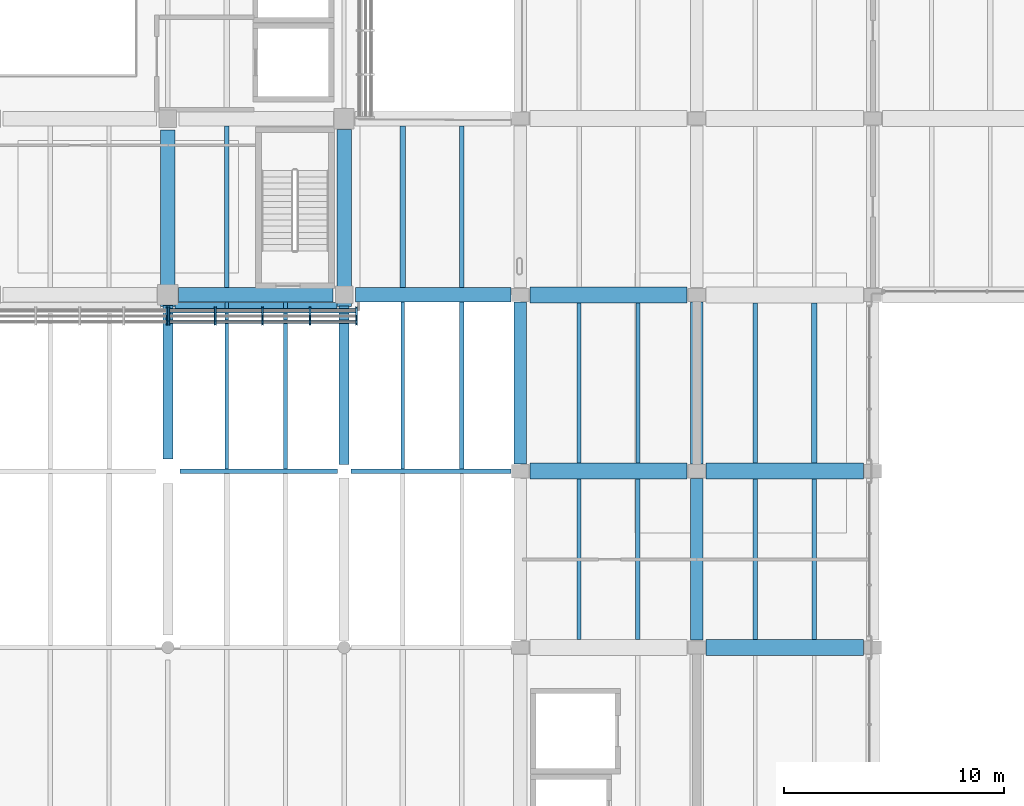
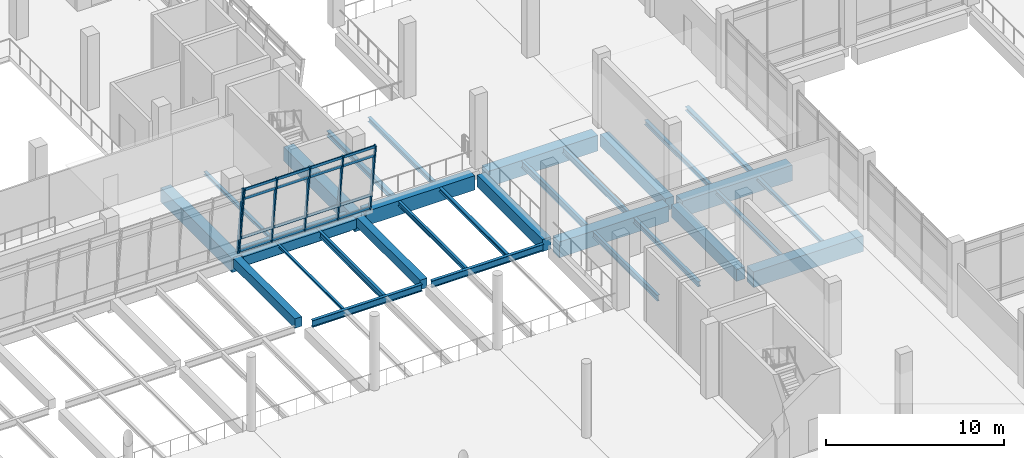
# One storey, part 15 of 61: 31 beams, 22 members, 2 elements without a shape of their own.
"""IFC4 building model written with IfcOpenShell, lengths in metres."""

from ifc_helpers import new_model, si_unit, direction, frame, origin, origin_2d, place, context, subcontext, project, spatial, rectangle, i_section, extrude, material, material_profile, profile_set, type_object, element, aggregate, save


model = new_model("IFC4")

# Units and contexts
model_context = context("Model", 3, precision=1e-05, world=origin(), true_north=direction((0.0, 1.0)))
body_context = subcontext(model_context, "Body", "Model", "MODEL_VIEW")
ifc_project = project(units=[si_unit("LENGTHUNIT", "METRE"), si_unit("AREAUNIT", "SQUARE_METRE"), si_unit("VOLUMEUNIT", "CUBIC_METRE"), si_unit("PLANEANGLEUNIT", "RADIAN"), si_unit("MASSUNIT", "GRAM", prefix="KILO")], contexts=[model_context])

# Site, building, storey
site_placement = place(None, origin())
site = spatial("IfcSite", under=ifc_project, at=site_placement, CompositionType="ELEMENT")
building_placement = place(site_placement, origin())
building = spatial("IfcBuilding", under=site, at=building_placement, Name="Pecanmere Concourse Central Library", CompositionType="ELEMENT")
storey_placement = place(building_placement, frame((0.0, 0.0, 5.39990234375)))
storey = spatial("IfcBuildingStorey", under=building, at=storey_placement, Name="L02", CompositionType="ELEMENT", Elevation=5.39990234375)

# Curtain wall, member
ifc_material_1 = material(Name="Anodized bronze aluminium alloy 6063-T6", Category="aluminium")
curtain_wall_type = type_object("IfcCurtainWallType", Name="CW_LEAN_BANDED", PredefinedType="USERDEFINED", material=ifc_material_1)
curtain_wall_1_placement = place(storey_placement, origin())
curtain_wall_1 = element("IfcCurtainWall", 1, at=curtain_wall_1_placement, inside=storey, type_object=curtain_wall_type, Name="Unitised Curtain Wall CW-01 L02-014", ObjectType="UNITISED CURTAIN WALL", PredefinedType="USERDEFINED")
ifc_material_2 = material(Name="Anodized bronze aluminium alloy 6063-T6", Category="aluminium")
ifc_material_profile_1 = material_profile(ifc_material_2, rectangle(XDim=0.074951171875, YDim=0.199951171875, at=origin_2d()), Name="AL 75x200")
ifc_profile_set_1 = profile_set([ifc_material_profile_1], Name="Anodized bronze aluminium alloy 6063-T6")
member_type_1 = type_object("IfcMemberType", Name="CWM_200x75", PredefinedType="MULLION", material=ifc_profile_set_1)
member_1_placement = place(storey_placement, frame((95.95751953125, 89.359619140625, 0.0), z_axis=(0.0, -0.132283601957, 0.991211909055), x_axis=(1.0, 0.0, 0.0)))
member_1 = element("IfcMember", 2, at=member_1_placement, type_object=member_type_1, Name="CW-01 Mullion 5", PredefinedType="MULLION", context=body_context, shape_type="SweptSolid", body=[
    extrude(rectangle(XDim=0.074951171875, YDim=0.199951171875, at=origin_2d()), origin(), (0.0, 0.0, 1.0), 4.80224609375),
])
aggregate(curtain_wall_1, [member_1])

# Curtain wall, members
curtain_wall_2_placement = place(storey_placement, origin())
curtain_wall_2 = element("IfcCurtainWall", 3, at=curtain_wall_2_placement, inside=storey, type_object=curtain_wall_type, Name="Unitised Curtain Wall CW-01 L02-015", ObjectType="UNITISED CURTAIN WALL", PredefinedType="USERDEFINED")
member_2_placement = place(storey_placement, frame((96.04248046875, 89.359619140625, 0.0), z_axis=(0.0, -0.132283601957, 0.991211909055), x_axis=(1.0, 0.0, 0.0)))
member_2 = element("IfcMember", 4, at=member_2_placement, type_object=member_type_1, Name="CW-01 Mullion 1", PredefinedType="MULLION", context=body_context, shape_type="SweptSolid", body=[
    extrude(rectangle(XDim=0.074951171875, YDim=0.199951171875, at=origin_2d()), origin(), (0.0, 0.0, 1.0), 4.80224609375),
])
member_3_placement = place(storey_placement, frame((98.15380859375, 89.359619140625, 0.0), z_axis=(0.0, -0.132283601957, 0.991211909055), x_axis=(1.0, 0.0, 0.0)))
member_3 = element("IfcMember", 5, at=member_3_placement, type_object=member_type_1, Name="CW-01 Mullion 2", PredefinedType="MULLION", context=body_context, shape_type="SweptSolid", body=[
    extrude(rectangle(XDim=0.074951171875, YDim=0.199951171875, at=origin_2d()), origin(), (0.0, 0.0, 1.0), 4.80224609375),
])
member_4_placement = place(storey_placement, frame((100.302734375, 89.359619140625, 0.0), z_axis=(0.0, -0.132283601957, 0.991211909055), x_axis=(1.0, 0.0, 0.0)))
member_4 = element("IfcMember", 6, at=member_4_placement, type_object=member_type_1, Name="CW-01 Mullion 3", PredefinedType="MULLION", context=body_context, shape_type="SweptSolid", body=[
    extrude(rectangle(XDim=0.074951171875, YDim=0.199951171875, at=origin_2d()), origin(), (0.0, 0.0, 1.0), 4.80224609375),
])
member_5_placement = place(storey_placement, frame((102.45166015625, 89.359619140625, 0.0), z_axis=(0.0, -0.132283601957, 0.991211909055), x_axis=(1.0, 0.0, 0.0)))
member_5 = element("IfcMember", 7, at=member_5_placement, type_object=member_type_1, Name="CW-01 Mullion 4", PredefinedType="MULLION", context=body_context, shape_type="SweptSolid", body=[
    extrude(rectangle(XDim=0.074951171875, YDim=0.199951171875, at=origin_2d()), origin(), (0.0, 0.0, 1.0), 4.80224609375),
])
member_6_placement = place(storey_placement, frame((104.56298828125, 89.359619140625, 0.0), z_axis=(0.0, -0.132283601957, 0.991211909055), x_axis=(1.0, 0.0, 0.0)))
member_6 = element("IfcMember", 8, at=member_6_placement, type_object=member_type_1, Name="CW-01 Mullion 5", PredefinedType="MULLION", context=body_context, shape_type="SweptSolid", body=[
    extrude(rectangle(XDim=0.074951171875, YDim=0.199951171875, at=origin_2d()), origin(), (0.0, 0.0, 1.0), 4.80224609375),
])
ifc_material_3 = material(Name="Anodized bronze aluminium alloy 6063-T6", Category="aluminium")
ifc_material_profile_2 = material_profile(ifc_material_3, rectangle(XDim=0.06494140625, YDim=0.179931640625, at=origin_2d()), Name="AL 65x180")
ifc_profile_set_2 = profile_set([ifc_material_profile_2], Name="Anodized bronze aluminium alloy 6063-T6")
member_type_2 = type_object("IfcMemberType", Name="CWT_180x65", PredefinedType="USERDEFINED", material=ifc_profile_set_2)
member_7_placement = place(storey_placement, frame((96.080078125, 89.347412109375, 0.090087890625), z_axis=(1.0, 0.0, 0.0), x_axis=(0.0, 1.0, 0.0)))
member_7 = element("IfcMember", 9, at=member_7_placement, type_object=member_type_2, Name="CW-01 Transom 1.1", ObjectType="TRANSOM", PredefinedType="USERDEFINED", context=body_context, shape_type="SweptSolid", body=[
    extrude(rectangle(XDim=0.06494140625, YDim=0.179931640625, at=origin_2d()), origin(), (0.0, 0.0, 1.0), 2.036376953125),
])
member_8_placement = place(storey_placement, frame((96.080078125, 89.219482421875, 1.050048828125), z_axis=(1.0, 0.0, 0.0), x_axis=(0.0, 1.0, 0.0)))
member_8 = element("IfcMember", 10, at=member_8_placement, type_object=member_type_2, Name="CW-01 Transom 1.2", ObjectType="TRANSOM", PredefinedType="USERDEFINED", context=body_context, shape_type="SweptSolid", body=[
    extrude(rectangle(XDim=0.06494140625, YDim=0.179931640625, at=origin_2d()), origin(), (0.0, 0.0, 1.0), 2.036376953125),
])
member_9_placement = place(storey_placement, frame((96.080078125, 88.824462890625, 4.010009765625), z_axis=(1.0, 0.0, 0.0), x_axis=(0.0, 1.0, 0.0)))
member_9 = element("IfcMember", 11, at=member_9_placement, type_object=member_type_2, Name="CW-01 Transom 1.3", ObjectType="TRANSOM", PredefinedType="USERDEFINED", context=body_context, shape_type="SweptSolid", body=[
    extrude(rectangle(XDim=0.06494140625, YDim=0.179931640625, at=origin_2d()), origin(), (0.0, 0.0, 1.0), 2.036376953125),
])
member_10_placement = place(storey_placement, frame((96.080078125, 88.736328125, 4.670166015625), z_axis=(1.0, 0.0, 0.0), x_axis=(0.0, 1.0, 0.0)))
member_10 = element("IfcMember", 12, at=member_10_placement, type_object=member_type_2, Name="CW-01 Transom 1.4", ObjectType="TRANSOM", PredefinedType="USERDEFINED", context=body_context, shape_type="SweptSolid", body=[
    extrude(rectangle(XDim=0.06494140625, YDim=0.179931640625, at=origin_2d()), origin(), (0.0, 0.0, 1.0), 2.036376953125),
])
member_11_placement = place(storey_placement, frame((98.19140625, 89.347412109375, 0.090087890625), z_axis=(1.0, 0.0, 0.0), x_axis=(0.0, 1.0, 0.0)))
member_11 = element("IfcMember", 13, at=member_11_placement, type_object=member_type_2, Name="CW-01 Transom 2.1", ObjectType="TRANSOM", PredefinedType="USERDEFINED", context=body_context, shape_type="SweptSolid", body=[
    extrude(rectangle(XDim=0.06494140625, YDim=0.179931640625, at=origin_2d()), origin(), (0.0, 0.0, 1.0), 2.07373046875),
])
member_12_placement = place(storey_placement, frame((98.19140625, 89.219482421875, 1.050048828125), z_axis=(1.0, 0.0, 0.0), x_axis=(0.0, 1.0, 0.0)))
member_12 = element("IfcMember", 14, at=member_12_placement, type_object=member_type_2, Name="CW-01 Transom 2.2", ObjectType="TRANSOM", PredefinedType="USERDEFINED", context=body_context, shape_type="SweptSolid", body=[
    extrude(rectangle(XDim=0.06494140625, YDim=0.179931640625, at=origin_2d()), origin(), (0.0, 0.0, 1.0), 2.07373046875),
])
member_13_placement = place(storey_placement, frame((98.19140625, 88.824462890625, 4.010009765625), z_axis=(1.0, 0.0, 0.0), x_axis=(0.0, 1.0, 0.0)))
member_13 = element("IfcMember", 15, at=member_13_placement, type_object=member_type_2, Name="CW-01 Transom 2.3", ObjectType="TRANSOM", PredefinedType="USERDEFINED", context=body_context, shape_type="SweptSolid", body=[
    extrude(rectangle(XDim=0.06494140625, YDim=0.179931640625, at=origin_2d()), origin(), (0.0, 0.0, 1.0), 2.07373046875),
])
member_14_placement = place(storey_placement, frame((98.19140625, 88.736328125, 4.670166015625), z_axis=(1.0, 0.0, 0.0), x_axis=(0.0, 1.0, 0.0)))
member_14 = element("IfcMember", 16, at=member_14_placement, type_object=member_type_2, Name="CW-01 Transom 2.4", ObjectType="TRANSOM", PredefinedType="USERDEFINED", context=body_context, shape_type="SweptSolid", body=[
    extrude(rectangle(XDim=0.06494140625, YDim=0.179931640625, at=origin_2d()), origin(), (0.0, 0.0, 1.0), 2.07373046875),
])
member_15_placement = place(storey_placement, frame((100.34033203125, 89.347412109375, 0.090087890625), z_axis=(1.0, 0.0, 0.0), x_axis=(0.0, 1.0, 0.0)))
member_15 = element("IfcMember", 17, at=member_15_placement, type_object=member_type_2, Name="CW-01 Transom 3.1", ObjectType="TRANSOM", PredefinedType="USERDEFINED", context=body_context, shape_type="SweptSolid", body=[
    extrude(rectangle(XDim=0.06494140625, YDim=0.179931640625, at=origin_2d()), origin(), (0.0, 0.0, 1.0), 2.07373046875),
])
member_16_placement = place(storey_placement, frame((100.34033203125, 89.219482421875, 1.050048828125), z_axis=(1.0, 0.0, 0.0), x_axis=(0.0, 1.0, 0.0)))
member_16 = element("IfcMember", 18, at=member_16_placement, type_object=member_type_2, Name="CW-01 Transom 3.2", ObjectType="TRANSOM", PredefinedType="USERDEFINED", context=body_context, shape_type="SweptSolid", body=[
    extrude(rectangle(XDim=0.06494140625, YDim=0.179931640625, at=origin_2d()), origin(), (0.0, 0.0, 1.0), 2.07373046875),
])
member_17_placement = place(storey_placement, frame((100.34033203125, 88.824462890625, 4.010009765625), z_axis=(1.0, 0.0, 0.0), x_axis=(0.0, 1.0, 0.0)))
member_17 = element("IfcMember", 19, at=member_17_placement, type_object=member_type_2, Name="CW-01 Transom 3.3", ObjectType="TRANSOM", PredefinedType="USERDEFINED", context=body_context, shape_type="SweptSolid", body=[
    extrude(rectangle(XDim=0.06494140625, YDim=0.179931640625, at=origin_2d()), origin(), (0.0, 0.0, 1.0), 2.07373046875),
])
member_18_placement = place(storey_placement, frame((100.34033203125, 88.736328125, 4.670166015625), z_axis=(1.0, 0.0, 0.0), x_axis=(0.0, 1.0, 0.0)))
member_18 = element("IfcMember", 20, at=member_18_placement, type_object=member_type_2, Name="CW-01 Transom 3.4", ObjectType="TRANSOM", PredefinedType="USERDEFINED", context=body_context, shape_type="SweptSolid", body=[
    extrude(rectangle(XDim=0.06494140625, YDim=0.179931640625, at=origin_2d()), origin(), (0.0, 0.0, 1.0), 2.07373046875),
])
member_19_placement = place(storey_placement, frame((102.489013671875, 89.347412109375, 0.090087890625), z_axis=(1.0, 0.0, 0.0), x_axis=(0.0, 1.0, 0.0)))
member_19 = element("IfcMember", 21, at=member_19_placement, type_object=member_type_2, Name="CW-01 Transom 4.1", ObjectType="TRANSOM", PredefinedType="USERDEFINED", context=body_context, shape_type="SweptSolid", body=[
    extrude(rectangle(XDim=0.06494140625, YDim=0.179931640625, at=origin_2d()), origin(), (0.0, 0.0, 1.0), 2.036376953125),
])
member_20_placement = place(storey_placement, frame((102.489013671875, 89.219482421875, 1.050048828125), z_axis=(1.0, 0.0, 0.0), x_axis=(0.0, 1.0, 0.0)))
member_20 = element("IfcMember", 22, at=member_20_placement, type_object=member_type_2, Name="CW-01 Transom 4.2", ObjectType="TRANSOM", PredefinedType="USERDEFINED", context=body_context, shape_type="SweptSolid", body=[
    extrude(rectangle(XDim=0.06494140625, YDim=0.179931640625, at=origin_2d()), origin(), (0.0, 0.0, 1.0), 2.036376953125),
])
member_21_placement = place(storey_placement, frame((102.489013671875, 88.824462890625, 4.010009765625), z_axis=(1.0, 0.0, 0.0), x_axis=(0.0, 1.0, 0.0)))
member_21 = element("IfcMember", 23, at=member_21_placement, type_object=member_type_2, Name="CW-01 Transom 4.3", ObjectType="TRANSOM", PredefinedType="USERDEFINED", context=body_context, shape_type="SweptSolid", body=[
    extrude(rectangle(XDim=0.06494140625, YDim=0.179931640625, at=origin_2d()), origin(), (0.0, 0.0, 1.0), 2.036376953125),
])
member_22_placement = place(storey_placement, frame((102.489013671875, 88.736328125, 4.670166015625), z_axis=(1.0, 0.0, 0.0), x_axis=(0.0, 1.0, 0.0)))
member_22 = element("IfcMember", 24, at=member_22_placement, type_object=member_type_2, Name="CW-01 Transom 4.4", ObjectType="TRANSOM", PredefinedType="USERDEFINED", context=body_context, shape_type="SweptSolid", body=[
    extrude(rectangle(XDim=0.06494140625, YDim=0.179931640625, at=origin_2d()), origin(), (0.0, 0.0, 1.0), 2.036376953125),
])
aggregate(curtain_wall_2, [member_2, member_3, member_4, member_5, member_6, member_7, member_8, member_9, member_10, member_11, member_12, member_13, member_14, member_15, member_16, member_17, member_18, member_19, member_20, member_21, member_22])

# Beams
ifc_material_4 = material(Name="Concrete C40/50", Category="concrete")
ifc_material_profile_3 = material_profile(ifc_material_4, rectangle(XDim=0.4599609375, YDim=0.64990234375, at=origin_2d()), Name="RC 460x650")
ifc_profile_set_3 = profile_set([ifc_material_profile_3], Name="Concrete C40/50")
beam_type_1 = type_object("IfcBeamType", Name="GRD_460x650", PredefinedType="USERDEFINED", material=ifc_profile_set_3)
beam_1_placement = place(storey_placement, frame((96.0, 82.56005859375, -0.69482421875), z_axis=(0.0, 1.0, 0.0), x_axis=(-1.0, 0.0, 0.0)))
element("IfcBeam", 25, at=beam_1_placement, inside=storey, type_object=beam_type_1, Name="Primary Girder Y L02-1069", ObjectType="GIRDER", PredefinedType="USERDEFINED", context=body_context, shape_type="SweptSolid", body=[
    extrude(rectangle(XDim=0.4599609375, YDim=0.64990234375, at=origin_2d()), origin(), (0.0, 0.0, 1.0), 6.949951171875),
])
beam_2_placement = place(storey_placement, frame((104.0, 82.31005859375, -0.69482421875), z_axis=(0.0, 1.0, 0.0), x_axis=(-1.0, 0.0, 0.0)))
element("IfcBeam", 26, at=beam_2_placement, inside=storey, type_object=beam_type_1, Name="Primary Girder Y L02-1081", ObjectType="GIRDER", PredefinedType="USERDEFINED", context=body_context, shape_type="SweptSolid", body=[
    extrude(rectangle(XDim=0.4599609375, YDim=0.64990234375, at=origin_2d()), origin(), (0.0, 0.0, 1.0), 7.179931640625),
])
ifc_material_5 = material(Name="Concrete C40/50", Category="concrete")
ifc_material_profile_4 = material_profile(ifc_material_5, rectangle(XDim=0.56005859375, YDim=0.830078125, at=origin_2d()), Name="RC 560x830")
ifc_profile_set_4 = profile_set([ifc_material_profile_4], Name="Concrete C40/50")
beam_type_2 = type_object("IfcBeamType", Name="GRD_560x830", PredefinedType="USERDEFINED", material=ifc_profile_set_4)
for number, where, z_axis, x_axis, name in (
    (27, (112.0, 82.330078125, -0.784912109375), (0.0, 1.0, 0.0), (-1.0, 0.0, 0.0), "Primary Girder Y L02-1093"),
    (28, (120.0, 74.330078125, -0.784912109375), (0.0, 1.0, 0.0), (-1.0, 0.0, 0.0), "Primary Girder Y L02-1102"),
    (29, (120.0, 82.330078125, -0.784912109375), (0.0, 1.0, 0.0), (-1.0, 0.0, 0.0), "Primary Girder Y L02-1103"),
):
    element("IfcBeam", number, at=place(storey_placement, frame(where, z_axis=z_axis, x_axis=x_axis)), inside=storey, type_object=beam_type_2, Name=name, ObjectType="GIRDER", PredefinedType="USERDEFINED", context=body_context, shape_type="SweptSolid", body=[
        extrude(rectangle(XDim=0.56005859375, YDim=0.830078125, at=origin_2d()), origin(), (0.0, 0.0, 1.0), 7.33984375),
    ])
ifc_material_6 = material(Name="Concrete C40/50", Category="concrete")
ifc_material_profile_5 = material_profile(ifc_material_6, rectangle(XDim=0.659912109375, YDim=0.97998046875, at=origin_2d()), Name="RC 660x980")
ifc_profile_set_5 = profile_set([ifc_material_profile_5], Name="Concrete C40/50")
beam_type_3 = type_object("IfcBeamType", Name="GRD_660x980", PredefinedType="USERDEFINED", material=ifc_profile_set_5)
beam_3_placement = place(storey_placement, frame((96.489990234375, 90.0, -0.85986328125), z_axis=(1.0, 0.0, 0.0), x_axis=(0.0, 1.0, 0.0)))
element("IfcBeam", 30, at=beam_3_placement, inside=storey, type_object=beam_type_3, Name="Primary Girder X L02-0918", ObjectType="GIRDER", PredefinedType="USERDEFINED", context=body_context, shape_type="SweptSolid", body=[
    extrude(rectangle(XDim=0.659912109375, YDim=0.97998046875, at=origin_2d()), origin(), (0.0, 0.0, 1.0), 7.0),
])
beam_4_placement = place(storey_placement, frame((104.510009765625, 90.0, -0.85986328125), z_axis=(1.0, 0.0, 0.0), x_axis=(0.0, 1.0, 0.0)))
element("IfcBeam", 31, at=beam_4_placement, inside=storey, type_object=beam_type_3, Name="Primary Girder X L02-0919", ObjectType="GIRDER", PredefinedType="USERDEFINED", context=body_context, shape_type="SweptSolid", body=[
    extrude(rectangle(XDim=0.659912109375, YDim=0.97998046875, at=origin_2d()), origin(), (0.0, 0.0, 1.0), 7.06005859375),
])
beam_5_placement = place(storey_placement, frame((96.0, 89.469482421875, -0.85986328125), z_axis=(0.0, 1.0, 0.0), x_axis=(-1.0, 0.0, 0.0)))
element("IfcBeam", 32, at=beam_5_placement, inside=storey, type_object=beam_type_3, Name="Primary Girder Y L02-1070", ObjectType="GIRDER", PredefinedType="USERDEFINED", context=body_context, shape_type="SweptSolid", body=[
    extrude(rectangle(XDim=0.659912109375, YDim=0.97998046875, at=origin_2d()), origin(), (0.0, 0.0, 1.0), 8.0205078125),
])
beam_6_placement = place(storey_placement, frame((104.0, 89.469482421875, -0.85986328125), z_axis=(0.0, 1.0, 0.0), x_axis=(-1.0, 0.0, 0.0)))
element("IfcBeam", 33, at=beam_6_placement, inside=storey, type_object=beam_type_3, Name="Primary Girder Y L02-1082", ObjectType="GIRDER", PredefinedType="USERDEFINED", context=body_context, shape_type="SweptSolid", body=[
    extrude(rectangle(XDim=0.659912109375, YDim=0.97998046875, at=origin_2d()), origin(), (0.0, 0.0, 1.0), 8.04052734375),
])
ifc_material_7 = material(Name="Concrete C40/50", Category="concrete")
ifc_material_profile_6 = material_profile(ifc_material_7, rectangle(XDim=0.719970703125, YDim=1.080078125, at=origin_2d()), Name="RC 720x1080")
ifc_profile_set_6 = profile_set([ifc_material_profile_6], Name="Concrete C40/50")
beam_type_4 = type_object("IfcBeamType", Name="GRD_720x1080", PredefinedType="USERDEFINED", material=ifc_profile_set_6)
for number, where, z_axis, x_axis, name in (
    (34, (120.429931640625, 74.0, -0.909912109375), (1.0, 0.0, 0.0), (0.0, 1.0, 0.0), "Primary Girder X L02-0895"),
    (35, (112.429931640625, 82.0, -0.909912109375), (1.0, 0.0, 0.0), (0.0, 1.0, 0.0), "Primary Girder X L02-0906"),
    (36, (120.429931640625, 82.0, -0.909912109375), (1.0, 0.0, 0.0), (0.0, 1.0, 0.0), "Primary Girder X L02-0907"),
    (37, (112.429931640625, 90.0, -0.909912109375), (1.0, 0.0, 0.0), (0.0, 1.0, 0.0), "Primary Girder X L02-0920"),
):
    element("IfcBeam", number, at=place(storey_placement, frame(where, z_axis=z_axis, x_axis=x_axis)), inside=storey, type_object=beam_type_4, Name=name, ObjectType="GIRDER", PredefinedType="USERDEFINED", context=body_context, shape_type="SweptSolid", body=[
        extrude(rectangle(XDim=0.719970703125, YDim=1.080078125, at=origin_2d()), origin(), (0.0, 0.0, 1.0), 7.14013671875),
    ])
ifc_material_8 = material(Name="Structural steel ASTM A992 Grade 50", Category="steel")
ifc_material_profile_7 = material_profile(ifc_material_8, i_section(OverallWidth=0.152099609375, OverallDepth=0.152099609375, WebThickness=0.005859375, FlangeThickness=0.006591796875, at=origin_2d()), Name="W150x22.5")
ifc_profile_set_7 = profile_set([ifc_material_profile_7], Name="Structural steel ASTM A992 Grade 50")
beam_type_5 = type_object("IfcBeamType", Name="SBM_W150x22", PredefinedType="LINTEL", material=ifc_profile_set_7)
beam_7_placement = place(storey_placement, frame((98.666748046875, 82.096923828125, -0.44580078125), z_axis=(0.0, 1.0, 0.0), x_axis=(-1.0, 0.0, 0.0)))
element("IfcBeam", 38, at=beam_7_placement, inside=storey, type_object=beam_type_5, Name="Secondary Floor Joist L02-1339", PredefinedType="LINTEL", context=body_context, shape_type="SweptSolid", body=[
    extrude(i_section(OverallWidth=0.152099609375, OverallDepth=0.152099609375, WebThickness=0.005859375, FlangeThickness=0.006591796875, at=origin_2d()), origin(), (0.0, 0.0, 1.0), 7.572998046875),
])
ifc_material_9 = material(Name="Structural steel ASTM A992 Grade 50", Category="steel")
ifc_material_profile_8 = material_profile(ifc_material_9, i_section(OverallWidth=0.2041015625, OverallDepth=0.2060546875, WebThickness=0.0078125, FlangeThickness=0.0126953125, at=origin_2d()), Name="W200x52")
ifc_profile_set_8 = profile_set([ifc_material_profile_8], Name="Structural steel ASTM A992 Grade 50")
beam_type_6 = type_object("IfcBeamType", Name="SBM_W200x52", PredefinedType="JOIST", material=ifc_profile_set_8)
beam_8_placement = place(storey_placement, frame((98.666748046875, 90.330078125, -0.472900390625), z_axis=(0.0, 1.0, 0.0), x_axis=(-1.0, 0.0, 0.0)))
element("IfcBeam", 39, at=beam_8_placement, inside=storey, type_object=beam_type_6, Name="Secondary Floor Joist L02-1341", PredefinedType="JOIST", context=body_context, shape_type="SweptSolid", body=[
    extrude(i_section(OverallWidth=0.2041015625, OverallDepth=0.2060546875, WebThickness=0.0078125, FlangeThickness=0.0126953125, at=origin_2d()), origin(), (0.0, 0.0, 1.0), 7.33984375),
])
beam_9_placement = place(storey_placement, frame((125.333251953125, 74.360107421875, -0.472900390625), z_axis=(0.0, 1.0, 0.0), x_axis=(-1.0, 0.0, 0.0)))
element("IfcBeam", 40, at=beam_9_placement, inside=storey, type_object=beam_type_6, Name="Secondary Floor Joist L02-1388", PredefinedType="JOIST", context=body_context, shape_type="SweptSolid", body=[
    extrude(i_section(OverallWidth=0.2041015625, OverallDepth=0.2060546875, WebThickness=0.0078125, FlangeThickness=0.0126953125, at=origin_2d()), origin(), (0.0, 0.0, 1.0), 7.27978515625),
])
ifc_material_10 = material(Name="Structural steel ASTM A992 Grade 50", Category="steel")
ifc_material_profile_9 = material_profile(ifc_material_10, i_section(OverallWidth=0.201904296875, OverallDepth=0.2470703125, WebThickness=0.00732421875, FlangeThickness=0.010986328125, at=origin_2d()), Name="W250x49.1")
ifc_profile_set_9 = profile_set([ifc_material_profile_9], Name="Structural steel ASTM A992 Grade 50")
beam_type_7 = type_object("IfcBeamType", Name="SBM_W250x49", PredefinedType="JOIST", material=ifc_profile_set_9)
beam_10_placement = place(storey_placement, frame((109.333251953125, 82.096923828125, -0.493408203125), z_axis=(0.0, 1.0, 0.0), x_axis=(-1.0, 0.0, 0.0)))
element("IfcBeam", 41, at=beam_10_placement, inside=storey, type_object=beam_type_7, Name="Secondary Floor Joist L02-1360", PredefinedType="JOIST", context=body_context, shape_type="SweptSolid", body=[
    extrude(i_section(OverallWidth=0.201904296875, OverallDepth=0.2470703125, WebThickness=0.00732421875, FlangeThickness=0.010986328125, at=origin_2d()), origin(), (0.0, 0.0, 1.0), 7.572998046875),
])
beam_11_placement = place(storey_placement, frame((122.666748046875, 74.360107421875, -0.493408203125), z_axis=(0.0, 1.0, 0.0), x_axis=(-1.0, 0.0, 0.0)))
element("IfcBeam", 42, at=beam_11_placement, inside=storey, type_object=beam_type_7, Name="Secondary Floor Joist L02-1387", PredefinedType="JOIST", context=body_context, shape_type="SweptSolid", body=[
    extrude(i_section(OverallWidth=0.201904296875, OverallDepth=0.2470703125, WebThickness=0.00732421875, FlangeThickness=0.010986328125, at=origin_2d()), origin(), (0.0, 0.0, 1.0), 7.27978515625),
])
ifc_material_11 = material(Name="Structural steel ASTM A992 Grade 50", Category="steel")
ifc_material_profile_10 = material_profile(ifc_material_11, i_section(OverallWidth=0.25390625, OverallDepth=0.2529296875, WebThickness=0.008544921875, FlangeThickness=0.01416015625, at=origin_2d()), Name="W250x73")
ifc_profile_set_10 = profile_set([ifc_material_profile_10], Name="Structural steel ASTM A992 Grade 50")
beam_type_8 = type_object("IfcBeamType", Name="SBM_W250x73", PredefinedType="BEAM", material=ifc_profile_set_10)
beam_12_placement = place(storey_placement, frame((125.333251953125, 82.360107421875, -0.496337890625), z_axis=(0.0, 1.0, 0.0), x_axis=(-1.0, 0.0, 0.0)))
element("IfcBeam", 43, at=beam_12_placement, inside=storey, type_object=beam_type_8, Name="Secondary Floor Joist L02-1390", PredefinedType="BEAM", context=body_context, shape_type="SweptSolid", body=[
    extrude(i_section(OverallWidth=0.25390625, OverallDepth=0.2529296875, WebThickness=0.008544921875, FlangeThickness=0.01416015625, at=origin_2d()), origin(), (0.0, 0.0, 1.0), 7.27978515625),
])
ifc_material_12 = material(Name="Structural steel ASTM A992 Grade 50", Category="steel")
ifc_material_profile_11 = material_profile(ifc_material_12, i_section(OverallWidth=0.1669921875, OverallDepth=0.31689453125, WebThickness=0.007568359375, FlangeThickness=0.01318359375, at=origin_2d()), Name="W310x52")
ifc_profile_set_11 = profile_set([ifc_material_profile_11], Name="Structural steel ASTM A992 Grade 50")
beam_type_9 = type_object("IfcBeamType", Name="SBM_W310x52", PredefinedType="JOIST", material=ifc_profile_set_11)
beam_13_placement = place(storey_placement, frame((106.666748046875, 82.096923828125, -0.5283203125), z_axis=(0.0, 1.0, 0.0), x_axis=(-1.0, 0.0, 0.0)))
element("IfcBeam", 44, at=beam_13_placement, inside=storey, type_object=beam_type_9, Name="Secondary Floor Joist L02-1359", PredefinedType="JOIST", context=body_context, shape_type="SweptSolid", body=[
    extrude(i_section(OverallWidth=0.1669921875, OverallDepth=0.31689453125, WebThickness=0.007568359375, FlangeThickness=0.01318359375, at=origin_2d()), origin(), (0.0, 0.0, 1.0), 7.572998046875),
])
ifc_material_13 = material(Name="Structural steel ASTM A992 Grade 50", Category="steel")
ifc_material_profile_12 = material_profile(ifc_material_13, i_section(OverallWidth=0.205078125, OverallDepth=0.31005859375, WebThickness=0.009521484375, FlangeThickness=0.016357421875, at=origin_2d()), Name="W310x74")
ifc_profile_set_12 = profile_set([ifc_material_profile_12], Name="Structural steel ASTM A992 Grade 50")
beam_type_10 = type_object("IfcBeamType", Name="SBM_W310x74", PredefinedType="BEAM", material=ifc_profile_set_12)
beam_14_placement = place(storey_placement, frame((109.333251953125, 90.330078125, -0.52490234375), z_axis=(0.0, 1.0, 0.0), x_axis=(-1.0, 0.0, 0.0)))
element("IfcBeam", 45, at=beam_14_placement, inside=storey, type_object=beam_type_10, Name="Secondary Floor Joist L02-1362", PredefinedType="BEAM", context=body_context, shape_type="SweptSolid", body=[
    extrude(i_section(OverallWidth=0.205078125, OverallDepth=0.31005859375, WebThickness=0.009521484375, FlangeThickness=0.016357421875, at=origin_2d()), origin(), (0.0, 0.0, 1.0), 7.33984375),
])
beam_15_placement = place(storey_placement, frame((122.666748046875, 82.360107421875, -0.52490234375), z_axis=(0.0, 1.0, 0.0), x_axis=(-1.0, 0.0, 0.0)))
element("IfcBeam", 46, at=beam_15_placement, inside=storey, type_object=beam_type_10, Name="Secondary Floor Joist L02-1389", PredefinedType="BEAM", context=body_context, shape_type="SweptSolid", body=[
    extrude(i_section(OverallWidth=0.205078125, OverallDepth=0.31005859375, WebThickness=0.009521484375, FlangeThickness=0.016357421875, at=origin_2d()), origin(), (0.0, 0.0, 1.0), 7.27978515625),
])
ifc_material_14 = material(Name="Structural steel ASTM A992 Grade 50", Category="steel")
ifc_material_profile_13 = material_profile(ifc_material_14, i_section(OverallWidth=0.202880859375, OverallDepth=0.346923828125, WebThickness=0.0078125, FlangeThickness=0.013427734375, at=origin_2d()), Name="W360x64")
ifc_profile_set_13 = profile_set([ifc_material_profile_13], Name="Structural steel ASTM A992 Grade 50")
beam_type_11 = type_object("IfcBeamType", Name="SBM_W360x64", PredefinedType="JOIST", material=ifc_profile_set_13)
beam_16_placement = place(storey_placement, frame((117.333251953125, 74.360107421875, -0.54345703125), z_axis=(0.0, 1.0, 0.0), x_axis=(-1.0, 0.0, 0.0)))
element("IfcBeam", 47, at=beam_16_placement, inside=storey, type_object=beam_type_11, Name="Secondary Floor Joist L02-1374", PredefinedType="JOIST", context=body_context, shape_type="SweptSolid", body=[
    extrude(i_section(OverallWidth=0.202880859375, OverallDepth=0.346923828125, WebThickness=0.0078125, FlangeThickness=0.013427734375, at=origin_2d()), origin(), (0.0, 0.0, 1.0), 7.27978515625),
])
ifc_material_15 = material(Name="Structural steel ASTM A992 Grade 50", Category="steel")
ifc_material_profile_14 = material_profile(ifc_material_15, i_section(OverallWidth=0.25390625, OverallDepth=0.35302734375, WebThickness=0.009521484375, FlangeThickness=0.016357421875, at=origin_2d()), Name="W360x91")
ifc_profile_set_14 = profile_set([ifc_material_profile_14], Name="Structural steel ASTM A992 Grade 50")
beam_type_12 = type_object("IfcBeamType", Name="SBM_W360x91", PredefinedType="BEAM", material=ifc_profile_set_14)
beam_17_placement = place(storey_placement, frame((106.666748046875, 90.330078125, -0.54638671875), z_axis=(0.0, 1.0, 0.0), x_axis=(-1.0, 0.0, 0.0)))
element("IfcBeam", 48, at=beam_17_placement, inside=storey, type_object=beam_type_12, Name="Secondary Floor Joist L02-1361", PredefinedType="BEAM", context=body_context, shape_type="SweptSolid", body=[
    extrude(i_section(OverallWidth=0.25390625, OverallDepth=0.35302734375, WebThickness=0.009521484375, FlangeThickness=0.016357421875, at=origin_2d()), origin(), (0.0, 0.0, 1.0), 7.33984375),
])
ifc_material_16 = material(Name="Structural steel ASTM A992 Grade 50", Category="steel")
ifc_material_profile_15 = material_profile(ifc_material_16, i_section(OverallWidth=0.177978515625, OverallDepth=0.406982421875, WebThickness=0.0078125, FlangeThickness=0.0126953125, at=origin_2d()), Name="W410x60")
ifc_profile_set_15 = profile_set([ifc_material_profile_15], Name="Structural steel ASTM A992 Grade 50")
beam_type_13 = type_object("IfcBeamType", Name="SBM_W410x60", PredefinedType="JOIST", material=ifc_profile_set_15)
beam_18_placement = place(storey_placement, frame((101.333251953125, 82.096923828125, -0.573486328125), z_axis=(0.0, 1.0, 0.0), x_axis=(-1.0, 0.0, 0.0)))
element("IfcBeam", 49, at=beam_18_placement, inside=storey, type_object=beam_type_13, Name="Secondary Floor Joist L02-1340", PredefinedType="JOIST", context=body_context, shape_type="SweptSolid", body=[
    extrude(i_section(OverallWidth=0.177978515625, OverallDepth=0.406982421875, WebThickness=0.0078125, FlangeThickness=0.0126953125, at=origin_2d()), origin(), (0.0, 0.0, 1.0), 7.572998046875),
])
beam_19_placement = place(storey_placement, frame((114.666748046875, 74.360107421875, -0.573486328125), z_axis=(0.0, 1.0, 0.0), x_axis=(-1.0, 0.0, 0.0)))
element("IfcBeam", 50, at=beam_19_placement, inside=storey, type_object=beam_type_13, Name="Secondary Floor Joist L02-1373", PredefinedType="JOIST", context=body_context, shape_type="SweptSolid", body=[
    extrude(i_section(OverallWidth=0.177978515625, OverallDepth=0.406982421875, WebThickness=0.0078125, FlangeThickness=0.0126953125, at=origin_2d()), origin(), (0.0, 0.0, 1.0), 7.27978515625),
])
ifc_material_17 = material(Name="Structural steel ASTM A992 Grade 50", Category="steel")
ifc_material_profile_16 = material_profile(ifc_material_17, i_section(OverallWidth=0.180908203125, OverallDepth=0.4169921875, WebThickness=0.010986328125, FlangeThickness=0.018310546875, at=origin_2d()), Name="W410x85")
ifc_profile_set_16 = profile_set([ifc_material_profile_16], Name="Structural steel ASTM A992 Grade 50")
beam_type_14 = type_object("IfcBeamType", Name="SBM_W410x85", PredefinedType="BEAM", material=ifc_profile_set_16)
beam_20_placement = place(storey_placement, frame((117.333251953125, 82.360107421875, -0.578369140625), z_axis=(0.0, 1.0, 0.0), x_axis=(-1.0, 0.0, 0.0)))
element("IfcBeam", 51, at=beam_20_placement, inside=storey, type_object=beam_type_14, Name="Secondary Floor Joist L02-1376", PredefinedType="BEAM", context=body_context, shape_type="SweptSolid", body=[
    extrude(i_section(OverallWidth=0.180908203125, OverallDepth=0.4169921875, WebThickness=0.010986328125, FlangeThickness=0.018310546875, at=origin_2d()), origin(), (0.0, 0.0, 1.0), 7.27978515625),
])
ifc_material_18 = material(Name="Structural steel ASTM A992 Grade 50", Category="steel")
ifc_material_profile_17 = material_profile(ifc_material_18, i_section(OverallWidth=0.194091796875, OverallDepth=0.468994140625, WebThickness=0.0126953125, FlangeThickness=0.0205078125, at=origin_2d()), Name="W460x106")
ifc_profile_set_17 = profile_set([ifc_material_profile_17], Name="Structural steel ASTM A992 Grade 50")
beam_type_15 = type_object("IfcBeamType", Name="SBM_W460x106", PredefinedType="USERDEFINED", material=ifc_profile_set_17)
beam_21_placement = place(storey_placement, frame((96.56005859375, 82.0, -0.6044921875), z_axis=(1.0, 0.0, 0.0), x_axis=(0.0, 1.0, 0.0)))
element("IfcBeam", 52, at=beam_21_placement, inside=storey, type_object=beam_type_15, Name="Primary Girder X L02-0904", ObjectType="GIRDER", PredefinedType="USERDEFINED", context=body_context, shape_type="SweptSolid", body=[
    extrude(i_section(OverallWidth=0.194091796875, OverallDepth=0.468994140625, WebThickness=0.0126953125, FlangeThickness=0.0205078125, at=origin_2d()), origin(), (0.0, 0.0, 1.0), 7.1298828125),
])
beam_22_placement = place(storey_placement, frame((104.31005859375, 82.0, -0.6044921875), z_axis=(1.0, 0.0, 0.0), x_axis=(0.0, 1.0, 0.0)))
element("IfcBeam", 53, at=beam_22_placement, inside=storey, type_object=beam_type_15, Name="Primary Girder X L02-0905", ObjectType="GIRDER", PredefinedType="USERDEFINED", context=body_context, shape_type="SweptSolid", body=[
    extrude(i_section(OverallWidth=0.194091796875, OverallDepth=0.468994140625, WebThickness=0.0126953125, FlangeThickness=0.0205078125, at=origin_2d()), origin(), (0.0, 0.0, 1.0), 7.260009765625),
])
ifc_material_19 = material(Name="Structural steel ASTM A992 Grade 50", Category="steel")
ifc_material_profile_18 = material_profile(ifc_material_19, i_section(OverallWidth=0.18994140625, OverallDepth=0.45703125, WebThickness=0.009033203125, FlangeThickness=0.014404296875, at=origin_2d()), Name="W460x74")
ifc_profile_set_18 = profile_set([ifc_material_profile_18], Name="Structural steel ASTM A992 Grade 50")
beam_type_16 = type_object("IfcBeamType", Name="SBM_W460x74", PredefinedType="BEAM", material=ifc_profile_set_18)
beam_23_placement = place(storey_placement, frame((114.666748046875, 82.360107421875, -0.598388671875), z_axis=(0.0, 1.0, 0.0), x_axis=(-1.0, 0.0, 0.0)))
element("IfcBeam", 54, at=beam_23_placement, inside=storey, type_object=beam_type_16, Name="Secondary Floor Joist L02-1375", PredefinedType="BEAM", context=body_context, shape_type="SweptSolid", body=[
    extrude(i_section(OverallWidth=0.18994140625, OverallDepth=0.45703125, WebThickness=0.009033203125, FlangeThickness=0.014404296875, at=origin_2d()), origin(), (0.0, 0.0, 1.0), 7.27978515625),
])
ifc_material_20 = material(Name="Concrete C40/50", Category="concrete")
ifc_material_profile_19 = material_profile(ifc_material_20, rectangle(XDim=0.3798828125, YDim=0.639892578125, at=origin_2d()), Name="RC 380x640")
ifc_profile_set_19 = profile_set([ifc_material_profile_19], Name="Concrete C40/50")
beam_type_17 = type_object("IfcBeamType", Name="SPB_380x640", PredefinedType="BEAM", material=ifc_profile_set_19)
beam_24_placement = place(storey_placement, frame((96.330078125, 89.469482421875, -0.68994140625), z_axis=(1.0, 0.0, 0.0), x_axis=(0.0, 1.0, 0.0)))
element("IfcBeam", 55, at=beam_24_placement, inside=storey, type_object=beam_type_17, Name="Leaning Facade Edge Beam L02-1161", PredefinedType="BEAM", context=body_context, shape_type="SweptSolid", body=[
    extrude(rectangle(XDim=0.3798828125, YDim=0.639892578125, at=origin_2d()), origin(), (0.0, 0.0, 1.0), 7.33984375),
])

save(model, "model.ifc")
